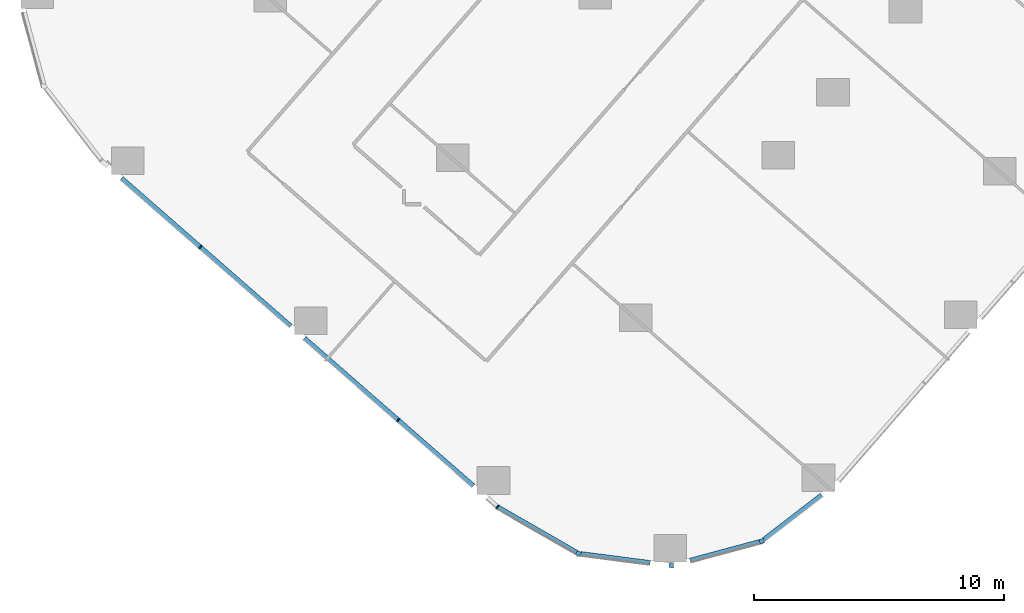
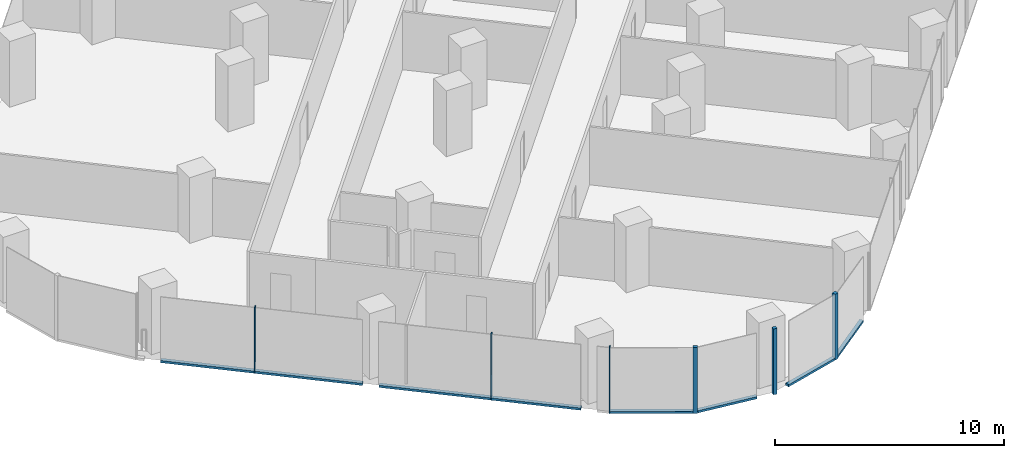
# One storey, part 2 of 38: 12 members, 5 elements without a shape of their own.
"""IFC4 building model written with IfcOpenShell, lengths in metres."""

from ifc_helpers import new_model, si_unit, direction, frame, origin, origin_2d, place, context, subcontext, project, spatial, rectangle, extrude, material, material_profile, profile_set, type_object, element, aggregate, save


model = new_model("IFC4")

# Units and contexts
model_context = context("Model", 3, precision=1e-05, world=origin(), true_north=direction((0.0, 1.0)))
body_context = subcontext(model_context, "Body", "Model", "MODEL_VIEW")
ifc_project = project(units=[si_unit("LENGTHUNIT", "METRE"), si_unit("AREAUNIT", "SQUARE_METRE"), si_unit("VOLUMEUNIT", "CUBIC_METRE"), si_unit("PLANEANGLEUNIT", "RADIAN"), si_unit("MASSUNIT", "GRAM", prefix="KILO")], contexts=[model_context])

# Site, building, storey
site_placement = place(None, origin())
site = spatial("IfcSite", under=ifc_project, at=site_placement, CompositionType="ELEMENT")
building_placement = place(site_placement, origin())
building = spatial("IfcBuilding", under=site, at=building_placement, Name="Orlundy Tower", CompositionType="ELEMENT")
storey_placement = place(building_placement, frame((0.0, 0.0, 65.800048828125)))
storey = spatial("IfcBuildingStorey", under=building, at=storey_placement, Name="L15", CompositionType="ELEMENT", Elevation=65.800048828125)

# Curtain wall, member
ifc_material_1 = material(Name="Aluminium bronze anodised", Category="aluminium")
curtain_wall_type = type_object("IfcCurtainWallType", Name="CW1 wall", PredefinedType="NOTDEFINED", material=ifc_material_1)
curtain_wall_1_placement = place(storey_placement, origin())
curtain_wall_1 = element("IfcCurtainWall", 1, at=curtain_wall_1_placement, inside=storey, type_object=curtain_wall_type, Name="CW1 run 04", PredefinedType="NOTDEFINED")
ifc_material_2 = material(Name="Aluminium bronze anodised", Category="aluminium")
ifc_material_profile_1 = material_profile(ifc_material_2, rectangle(XDim=0.179931640625, YDim=0.179931640625, at=origin_2d()), Name="CW1 corner post 180x180")
ifc_profile_set_1 = profile_set([ifc_material_profile_1], Name="Aluminium bronze anodised")
member_type_1 = type_object("IfcMemberType", Name="CW1 corner post 180x180", PredefinedType="MULLION", material=ifc_profile_set_1)
member_1_placement = place(storey_placement, frame((-20.753173828125, -53.148193359375, -0.400146484375), z_axis=(0.0, 0.0, 1.0), x_axis=(0.26007990033, -0.965587098839, 0.0)))
member_1 = element("IfcMember", 2, at=member_1_placement, type_object=member_type_1, Name="CW1 mullion 15", PredefinedType="MULLION", context=body_context, shape_type="SweptSolid", body=[
    extrude(rectangle(XDim=0.179931640625, YDim=0.179931640625, at=origin_2d()), origin(), (0.0, 0.0, 1.0), 3.5),
])

curtain_wall_2_placement = place(storey_placement, origin())
curtain_wall_2 = element("IfcCurtainWall", 3, at=curtain_wall_2_placement, inside=storey, type_object=curtain_wall_type, Name="CW1 run 05", PredefinedType="NOTDEFINED")
member_2_placement = place(storey_placement, frame((-24.366943359375, -54.12158203125, -0.400146484375), z_axis=(0.0, 0.0, 1.0), x_axis=(-0.128947063839, -0.991651478458, 0.0)))
member_2 = element("IfcMember", 4, at=member_2_placement, type_object=member_type_1, Name="CW1 mullion 16", PredefinedType="MULLION", context=body_context, shape_type="SweptSolid", body=[
    extrude(rectangle(XDim=0.179931640625, YDim=0.179931640625, at=origin_2d()), origin(), (0.0, 0.0, 1.0), 3.5),
])

curtain_wall_3_placement = place(storey_placement, origin())
curtain_wall_3 = element("IfcCurtainWall", 5, at=curtain_wall_3_placement, inside=storey, type_object=curtain_wall_type, Name="CW1 run 06", PredefinedType="NOTDEFINED")
member_3_placement = place(storey_placement, frame((-28.078369140625, -53.638916015625, -0.400146484375), z_axis=(0.0, 0.0, 1.0), x_axis=(-0.498780254844, -0.866728479616, 0.0)))
member_3 = element("IfcMember", 6, at=member_3_placement, type_object=member_type_1, Name="CW1 mullion 17", PredefinedType="MULLION", context=body_context, shape_type="SweptSolid", body=[
    extrude(rectangle(XDim=0.179931640625, YDim=0.179931640625, at=origin_2d()), origin(), (0.0, 0.0, 1.0), 3.5),
])

# Curtain wall, members
curtain_wall_4_placement = place(storey_placement, origin())
curtain_wall_4 = element("IfcCurtainWall", 7, at=curtain_wall_4_placement, inside=storey, type_object=curtain_wall_type, Name="CW1 run 07", PredefinedType="NOTDEFINED")
ifc_material_3 = material(Name="Aluminium bronze anodised", Category="aluminium")
ifc_material_profile_2 = material_profile(ifc_material_3, rectangle(XDim=0.179931640625, YDim=0.050048828125, at=origin_2d()), Name="CW1 mullion 50x180")
ifc_profile_set_2 = profile_set([ifc_material_profile_2], Name="Aluminium bronze anodised")
member_type_2 = type_object("IfcMemberType", Name="CW1 mullion 50x180", PredefinedType="MULLION", material=ifc_profile_set_2)
member_4_placement = place(storey_placement, frame((-31.314453125, -51.776611328125, -0.400146484375), z_axis=(0.0, 0.0, 1.0), x_axis=(-0.581319316021, -0.813675520598, 0.0)))
member_4 = element("IfcMember", 8, at=member_4_placement, type_object=member_type_2, Name="CW1 mullion 18", PredefinedType="MULLION", context=body_context, shape_type="SweptSolid", body=[
    extrude(rectangle(XDim=0.179931640625, YDim=0.050048828125, at=origin_2d()), origin(), (0.0, 0.0, 1.0), 3.5),
])
member_5_placement = place(storey_placement, frame((-35.273193359375, -48.31494140625, -0.400146484375), z_axis=(0.0, 0.0, 1.0), x_axis=(-0.658261834143, -0.752789052597, 0.0)))
member_5 = element("IfcMember", 9, at=member_5_placement, type_object=member_type_2, Name="CW1 mullion 19", PredefinedType="MULLION", context=body_context, shape_type="SweptSolid", body=[
    extrude(rectangle(XDim=0.179931640625, YDim=0.050048828125, at=origin_2d()), origin(), (0.0, 0.0, 1.0), 3.5),
])
member_6_placement = place(storey_placement, frame((-43.17724609375, -41.403564453125, -0.400146484375), z_axis=(0.0, 0.0, 1.0), x_axis=(-0.658261834143, -0.752789052597, 0.0)))
member_6 = element("IfcMember", 10, at=member_6_placement, type_object=member_type_2, Name="CW1 mullion 21", PredefinedType="MULLION", context=body_context, shape_type="SweptSolid", body=[
    extrude(rectangle(XDim=0.179931640625, YDim=0.050048828125, at=origin_2d()), origin(), (0.0, 0.0, 1.0), 3.5),
])

# Curtain wall, member
curtain_wall_5_placement = place(storey_placement, origin())
curtain_wall_5 = element("IfcCurtainWall", 11, at=curtain_wall_5_placement, inside=storey, type_object=curtain_wall_type, Name="CW1 run 03", PredefinedType="NOTDEFINED")
ifc_material_4 = material(Name="Aluminium bronze anodised", Category="aluminium")
ifc_material_profile_3 = material_profile(ifc_material_4, rectangle(XDim=0.179931640625, YDim=0.1201171875, at=origin_2d()), Name="CW1 transom 180x120")
ifc_profile_set_3 = profile_set([ifc_material_profile_3], Name="Aluminium bronze anodised")
member_type_3 = type_object("IfcMemberType", Name="CW1 transom 180x120", PredefinedType="USERDEFINED", material=ifc_profile_set_3)
member_7_placement = place(storey_placement, frame((-18.36279296875, -51.30810546875, -0.340087890625), z_axis=(-0.792400091658, -0.610001716998, 0.0), x_axis=(0.610001716998, -0.792400091658, 0.0)))
member_7 = element("IfcMember", 12, at=member_7_placement, type_object=member_type_3, Name="CW1 transom", ObjectType="TRANSOM", PredefinedType="USERDEFINED", context=body_context, shape_type="SweptSolid", body=[
    extrude(rectangle(XDim=0.179931640625, YDim=0.1201171875, at=origin_2d()), origin(), (0.0, 0.0, 1.0), 2.919189453125),
])
aggregate(curtain_wall_5, [member_7])

# Member
member_8_placement = place(storey_placement, frame((-20.840087890625, -53.171630859375, -0.340087890625), z_axis=(-0.965592771563, -0.260058838546, 0.0), x_axis=(0.260058838546, -0.965592771563, 0.0)))
member_8 = element("IfcMember", 13, at=member_8_placement, type_object=member_type_3, Name="CW1 transom", ObjectType="TRANSOM", PredefinedType="USERDEFINED", context=body_context, shape_type="SweptSolid", body=[
    extrude(rectangle(XDim=0.179931640625, YDim=0.1201171875, at=origin_2d()), origin(), (0.0, 0.0, 1.0), 2.871826171875),
])

aggregate(curtain_wall_1, [member_1, member_8])

member_9_placement = place(storey_placement, frame((-25.212890625, -54.011474609375, -0.340087890625), z_axis=(-0.99165930578, 0.128886854486, 0.0), x_axis=(-0.128886854486, -0.99165930578, 0.0)))
member_9 = element("IfcMember", 14, at=member_9_placement, type_object=member_type_3, Name="CW1 transom", ObjectType="TRANSOM", PredefinedType="USERDEFINED", context=body_context, shape_type="SweptSolid", body=[
    extrude(rectangle(XDim=0.179931640625, YDim=0.1201171875, at=origin_2d()), origin(), (0.0, 0.0, 1.0), 2.7919921875),
])

aggregate(curtain_wall_2, [member_2, member_9])

member_10_placement = place(storey_placement, frame((-28.15625, -53.593994140625, -0.340087890625), z_axis=(-0.866732056117, 0.498774039921, 0.0), x_axis=(-0.498774039921, -0.866732056117, 0.0)))
member_10 = element("IfcMember", 15, at=member_10_placement, type_object=member_type_3, Name="CW1 transom", ObjectType="TRANSOM", PredefinedType="USERDEFINED", context=body_context, shape_type="SweptSolid", body=[
    extrude(rectangle(XDim=0.179931640625, YDim=0.1201171875, at=origin_2d()), origin(), (0.0, 0.0, 1.0), 3.61865234375),
])

aggregate(curtain_wall_3, [member_3, member_10])

member_11_placement = place(storey_placement, frame((-32.26904296875, -50.94189453125, -0.340087890625), z_axis=(-0.752795937468, 0.658253960513, 0.0), x_axis=(-0.658253960513, -0.752795937468, 0.0)))
member_11 = element("IfcMember", 16, at=member_11_placement, type_object=member_type_3, Name="CW1 transom", ObjectType="TRANSOM", PredefinedType="USERDEFINED", context=body_context, shape_type="SweptSolid", body=[
    extrude(rectangle(XDim=0.179931640625, YDim=0.1201171875, at=origin_2d()), origin(), (0.0, 0.0, 1.0), 8.9658203125),
])

member_12_placement = place(storey_placement, frame((-39.571044921875, -44.556884765625, -0.340087890625), z_axis=(-0.752784138466, 0.658267453908, 0.0), x_axis=(-0.658267453908, -0.752784138466, 0.0)))
member_12 = element("IfcMember", 17, at=member_12_placement, type_object=member_type_3, Name="CW1 transom", ObjectType="TRANSOM", PredefinedType="USERDEFINED", context=body_context, shape_type="SweptSolid", body=[
    extrude(rectangle(XDim=0.179931640625, YDim=0.1201171875, at=origin_2d()), origin(), (0.0, 0.0, 1.0), 8.9658203125),
])

aggregate(curtain_wall_4, [member_4, member_5, member_6, member_11, member_12])

save(model, "model.ifc")
